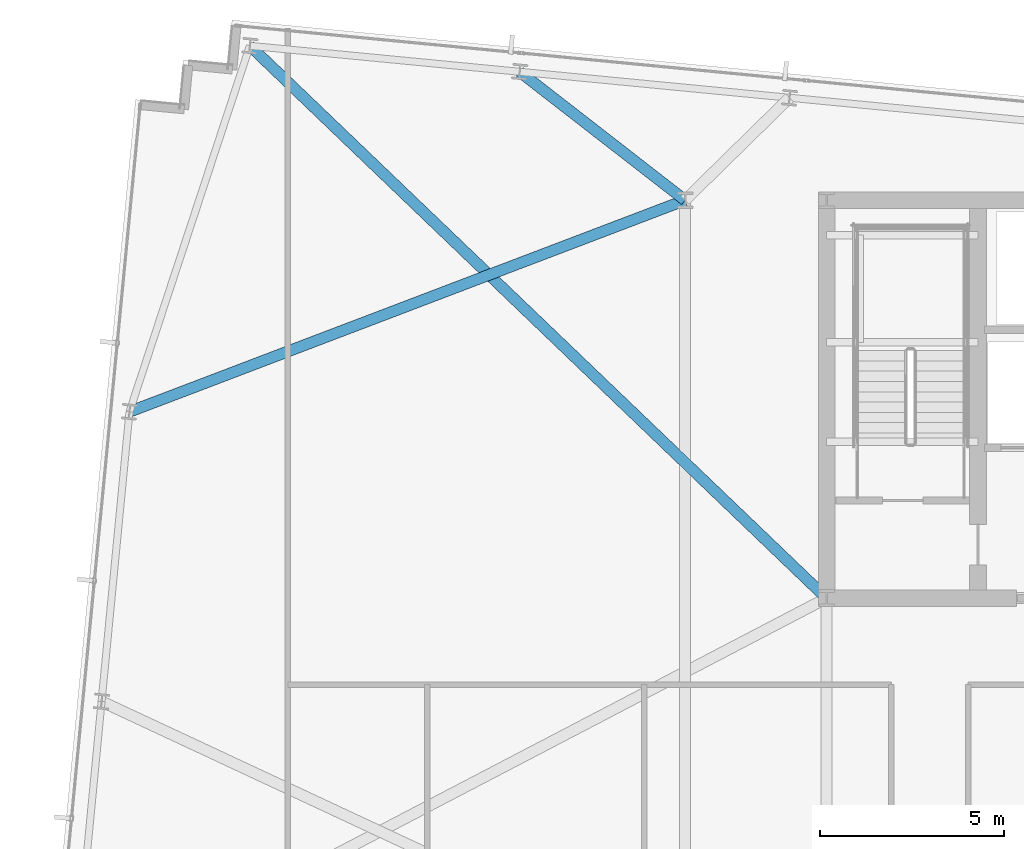
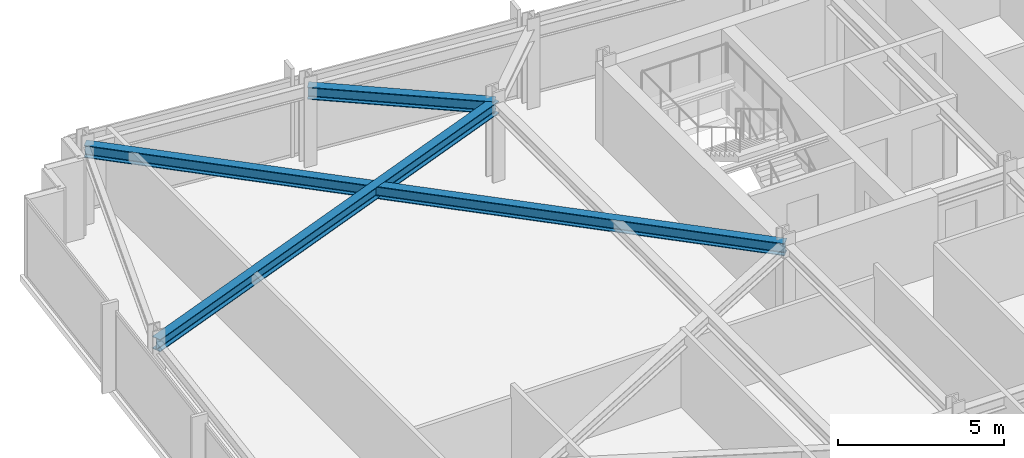
# One storey, part 22 of 37: 3 beams.
"""IFC4 building model written with IfcOpenShell, lengths in metres."""

import ifcopenshell
import ifcopenshell.guid

model = None  # the IFC model being written
_history = None  # IfcOwnerHistory: only IFC2X3 demands one
_inside = {}  # id of a spatial element -> (the spatial element, [elements in it])
_under = {}  # id of a project, library or spatial element -> (it, [spatial elements below it])
_declared = {}  # id of a project -> (the project, [libraries it declares])
_typed = {}  # id of a type object -> (the type object, [elements of that type])
_made_of = {}  # id of a material, layer set ... -> (it, [elements and type objects made of it])


def new_model(schema):
    """Start an empty IFC model of exactly this schema.

    Asked for "IFC4X3", IfcOpenShell would pick the latest addendum, in which some entities
    have other attributes; the version numbers below select the first issue.
    IFC2X3 requires an IfcOwnerHistory on every rooted entity: one is made here for all.
    """
    global model, _history
    if schema == "IFC4X3":
        model = ifcopenshell.file(schema_version=(4, 3, 0, 0))
    else:
        model = ifcopenshell.file(schema=schema)
    _inside.clear()
    _under.clear()
    _declared.clear()
    _typed.clear()
    _made_of.clear()
    _history = None
    if model.schema == "IFC2X3":
        org = make("IfcOrganization", Name="unknown")
        user = make(
            "IfcPersonAndOrganization",
            ThePerson=make("IfcPerson", FamilyName="unknown"),
            TheOrganization=org,
        )
        app = make(
            "IfcApplication",
            ApplicationDeveloper=org,
            Version="unknown",
            ApplicationFullName="unknown",
            ApplicationIdentifier="unknown",
        )
        _history = make(
            "IfcOwnerHistory",
            OwningUser=user,
            OwningApplication=app,
            ChangeAction="ADDED",
            CreationDate=0,
        )
    return model


def make(cls, **values):
    """One entity of the class cls with the attributes given. An attribute that is None is left unset."""
    return model.create_entity(
        cls, **{name: value for name, value in values.items() if value is not None}
    )


def rooted(cls, **values):
    """An entity with a GlobalId (a new one), such as an element, a storey or a relation."""
    return make(cls, GlobalId=ifcopenshell.guid.new(), OwnerHistory=_history, **values)


def si_unit(unit_type, name, prefix=None):
    """IfcSIUnit, for example si_unit("LENGTHUNIT", "METRE", prefix="MILLI")."""
    return make("IfcSIUnit", UnitType=unit_type, Prefix=prefix, Name=name)


def assignment(units):
    """IfcUnitAssignment: the units of a project."""
    return None if units is None else make("IfcUnitAssignment", Units=units)


def point(xyz):
    """IfcCartesianPoint."""
    return None if xyz is None else make("IfcCartesianPoint", Coordinates=xyz)


def direction(xyz):
    """IfcDirection."""
    return None if xyz is None else make("IfcDirection", DirectionRatios=xyz)


def frame(location, z_axis=None, x_axis=None):
    """IfcAxis2Placement3D, a coordinate frame: its origin and axes. An axis left out is left unset."""
    return make(
        "IfcAxis2Placement3D",
        Location=point(location),
        Axis=direction(z_axis),
        RefDirection=direction(x_axis),
    )


def frame_2d(location, x_axis=None):
    """IfcAxis2Placement2D, a coordinate frame in the plane: its origin and x axis."""
    return make(
        "IfcAxis2Placement2D", Location=point(location), RefDirection=direction(x_axis)
    )


def origin():
    """The frame at (0, 0, 0) with its axes left unset."""
    return frame((0.0, 0.0, 0.0))


def origin_2d():
    """The frame at (0, 0) in the plane with its x axis left unset."""
    return frame_2d((0.0, 0.0))


def place(relative_to, where):
    """IfcLocalPlacement: puts the frame where relative to a parent placement (None: the world)."""
    return make(
        "IfcLocalPlacement", PlacementRelTo=relative_to, RelativePlacement=where
    )


def context(
    kind, dimensions, precision=None, world=None, true_north=None, identifier=None
):
    """IfcGeometricRepresentationContext, for example the 3D "Model" context."""
    return make(
        "IfcGeometricRepresentationContext",
        ContextIdentifier=identifier,
        ContextType=kind,
        CoordinateSpaceDimension=dimensions,
        Precision=precision,
        WorldCoordinateSystem=world,
        TrueNorth=true_north,
    )


def subcontext(parent, identifier, kind, view, scale=None):
    """IfcGeometricRepresentationSubContext, for example "Body" below "Model"."""
    return make(
        "IfcGeometricRepresentationSubContext",
        ContextIdentifier=identifier,
        ContextType=kind,
        ParentContext=parent,
        TargetScale=scale,
        TargetView=view,
    )


def project(units=None, contexts=None):
    """IfcProject with its units and contexts."""
    return rooted(
        "IfcProject",
        Name="project",
        RepresentationContexts=contexts,
        UnitsInContext=assignment(units),
    )


def spatial(cls, under=None, at=None, **own):
    """A site, building, storey or space (cls), placed at a placement, below another one or the project."""
    s = rooted(cls, ObjectPlacement=at, **own)
    if under is not None:
        _under.setdefault(under.id(), (under, []))[1].append(s)
    return s


def profile(cls, at=None, kind="AREA", **sizes):
    """A parametric profile (cls). Its sizes go by their IFC names, for example OverallWidth=200.0."""
    return make(cls, ProfileType=kind, Position=at, **sizes)


def i_section(**sizes):
    """IfcIShapeProfileDef."""
    return profile("IfcIShapeProfileDef", **sizes)


def extrude(swept, where, along, depth):
    """IfcExtrudedAreaSolid: the profile swept, set in the frame where, extruded along a direction by depth."""
    return make(
        "IfcExtrudedAreaSolid",
        SweptArea=swept,
        Position=where,
        ExtrudedDirection=direction(along),
        Depth=depth,
    )


def shape(context_of_items, identifier, shape_type, items):
    """IfcShapeRepresentation: the items that make up one representation, for example the "Body"."""
    return make(
        "IfcShapeRepresentation",
        ContextOfItems=context_of_items,
        RepresentationIdentifier=identifier,
        RepresentationType=shape_type,
        Items=items,
    )


def material(Name=None, Category=None):
    """IfcMaterial."""
    return make("IfcMaterial", Name=Name, Category=Category)


def material_profile(
    of_material, cross_section, Name=None, Category=None, Priority=None
):
    """IfcMaterialProfile: a cross section and its material."""
    return make(
        "IfcMaterialProfile",
        Name=Name,
        Material=of_material,
        Profile=cross_section,
        Priority=Priority,
        Category=Category,
    )


def profile_set(profiles, Name=None, composite=None):
    """IfcMaterialProfileSet."""
    return make(
        "IfcMaterialProfileSet",
        Name=Name,
        MaterialProfiles=profiles,
        CompositeProfile=composite,
    )


def made_of(thing, what):
    """Note that an element or type object is made of a material, layer set ...; save() writes the relation."""
    if what is not None:
        _made_of.setdefault(what.id(), (what, []))[1].append(thing)
    return thing


def type_object(cls, material=None, **own):
    """A type object (cls), such as IfcWallType, which elements share."""
    return made_of(rooted(cls, **own), material)


def element(
    cls,
    number,
    at=None,
    inside=None,
    cuts=None,
    type_object=None,
    material=None,
    context=None,
    identifier="Body",
    shape_type=None,
    held_by="IfcProductDefinitionShape",
    body=None,
    shapes=None,
    **own,
):
    """One element of the class cls, such as IfcWall. Its Tag is "e" and its number.

    at: its placement. inside: the storey or other place that contains it. cuts: it is an
    opening in that element (IfcRelVoidsElement). A single representation is given by context,
    identifier, shape_type and body (its items); several are given by shapes. held_by: the class
    of the entity that holds the representations. save() writes the other relations.
    """
    e = rooted(cls, Tag="e%d" % number, ObjectPlacement=at, **own)
    if body is not None:
        shapes = [shape(context, identifier, shape_type, body)]
    if shapes is not None:
        e.Representation = make(held_by, Representations=shapes)
    if inside is not None:
        _inside.setdefault(inside.id(), (inside, []))[1].append(e)
    if cuts is not None:
        rooted(
            "IfcRelVoidsElement", RelatingBuildingElement=cuts, RelatedOpeningElement=e
        )
    if type_object is not None:
        _typed.setdefault(type_object.id(), (type_object, []))[1].append(e)
    return made_of(e, material)


def aggregate(whole, parts):
    """IfcRelAggregates: a whole, such as a stair, and the parts it consists of."""
    return rooted("IfcRelAggregates", RelatingObject=whole, RelatedObjects=parts)


def save(model, path):
    """Write the relations noted so far, then the file.

    IfcRelAggregates (storeys below a building ...), IfcRelContainedInSpatialStructure (elements
    in a storey), IfcRelDefinesByType, IfcRelAssociatesMaterial and IfcRelDeclares: one each for
    every whole, place, type object, material and project.
    """
    for whole, parts in _under.values():
        aggregate(whole, parts)
    for where, things in _inside.values():
        rooted(
            "IfcRelContainedInSpatialStructure",
            RelatedElements=things,
            RelatingStructure=where,
        )
    for kind, things in _typed.values():
        rooted("IfcRelDefinesByType", RelatedObjects=things, RelatingType=kind)
    for what, things in _made_of.values():
        rooted("IfcRelAssociatesMaterial", RelatedObjects=things, RelatingMaterial=what)
    for by, libraries in _declared.values():
        rooted("IfcRelDeclares", RelatingContext=by, RelatedDefinitions=libraries)
    model.write(path)


model = new_model("IFC4")

# Units and contexts
model_context = context("Model", 3, precision=1e-05, world=origin(), true_north=direction((0.0, 1.0)))
body_context = subcontext(model_context, "Body", "Model", "MODEL_VIEW")
ifc_project = project(units=[si_unit("LENGTHUNIT", "METRE"), si_unit("AREAUNIT", "SQUARE_METRE"), si_unit("VOLUMEUNIT", "CUBIC_METRE"), si_unit("PLANEANGLEUNIT", "RADIAN"), si_unit("MASSUNIT", "GRAM", prefix="KILO")], contexts=[model_context])

# Site, building, storey
site_placement = place(None, origin())
site = spatial("IfcSite", under=ifc_project, at=site_placement, CompositionType="ELEMENT")
building_placement = place(site_placement, origin())
building = spatial("IfcBuilding", under=site, at=building_placement, Name="Yelkora Congress Tower", CompositionType="ELEMENT")
storey_placement = place(building_placement, frame((0.0, 0.0, 188.60009765625)))
storey = spatial("IfcBuildingStorey", under=building, at=storey_placement, Name="L52", CompositionType="ELEMENT", Elevation=188.60009765625)

# Beams
ifc_material = material(Name="Steel S355J2", Category="steel")
ifc_material_profile = material_profile(ifc_material, i_section(OverallWidth=0.300048828125, OverallDepth=0.449951171875, WebThickness=0.013916015625, FlangeThickness=0.02587890625, FilletRadius=0.027099609375, at=origin_2d()), Name="HEB 450")
ifc_profile_set = profile_set([ifc_material_profile], Name="Steel S355J2")
beam_type = type_object("IfcBeamType", Name="BM-GIRD-HEB450", PredefinedType="BEAM", material=ifc_profile_set)
beam_1_placement = place(storey_placement, frame((7.388916015625, 50.390625, 2.65478515625), z_axis=(0.722178809531, -0.691706416816, 0.0), x_axis=(0.691706416816, 0.722178809531, 0.0)))
element("IfcBeam", 1, at=beam_1_placement, inside=storey, type_object=beam_type, Name="L52 Primary Frame Girder N01", PredefinedType="BEAM", context=body_context, shape_type="SweptSolid", body=[
    extrude(i_section(OverallWidth=0.300048828125, OverallDepth=0.449951171875, WebThickness=0.013916015625, FlangeThickness=0.02587890625, FilletRadius=0.027099609375, at=origin_2d()), origin(), (0.0, 0.0, 1.0), 21.672119140625),
])
beam_2_placement = place(storey_placement, frame((14.712158203125, 49.685546875, 2.65478515625), z_axis=(0.789770770989, -0.6134020943, 0.0), x_axis=(0.6134020943, 0.789770770989, 0.0)))
element("IfcBeam", 2, at=beam_2_placement, inside=storey, type_object=beam_type, Name="L52 Primary Frame Girder N02", PredefinedType="BEAM", context=body_context, shape_type="SweptSolid", body=[
    extrude(i_section(OverallWidth=0.300048828125, OverallDepth=0.449951171875, WebThickness=0.013916015625, FlangeThickness=0.02587890625, FilletRadius=0.027099609375, at=origin_2d()), origin(), (0.0, 0.0, 1.0), 5.682373046875),
])
beam_3_placement = place(storey_placement, frame((4.121826171875, 40.4580078125, 2.65478515625), z_axis=(0.934531115392, 0.355881433013, 0.0), x_axis=(-0.355881433013, 0.934531115392, 0.0)))
element("IfcBeam", 3, at=beam_3_placement, inside=storey, type_object=beam_type, Name="L52 Primary Frame Girder W03", PredefinedType="BEAM", context=body_context, shape_type="SweptSolid", body=[
    extrude(i_section(OverallWidth=0.300048828125, OverallDepth=0.449951171875, WebThickness=0.013916015625, FlangeThickness=0.02587890625, FilletRadius=0.027099609375, at=origin_2d()), origin(), (0.0, 0.0, 1.0), 16.134521484375),
])

save(model, "model.ifc")
